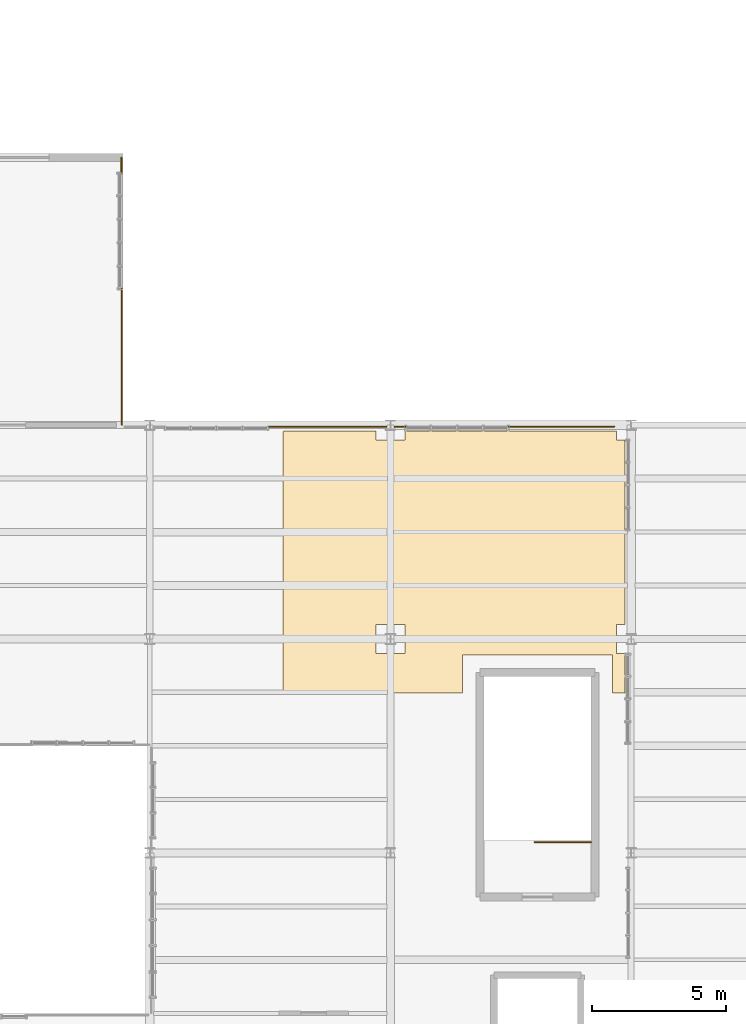
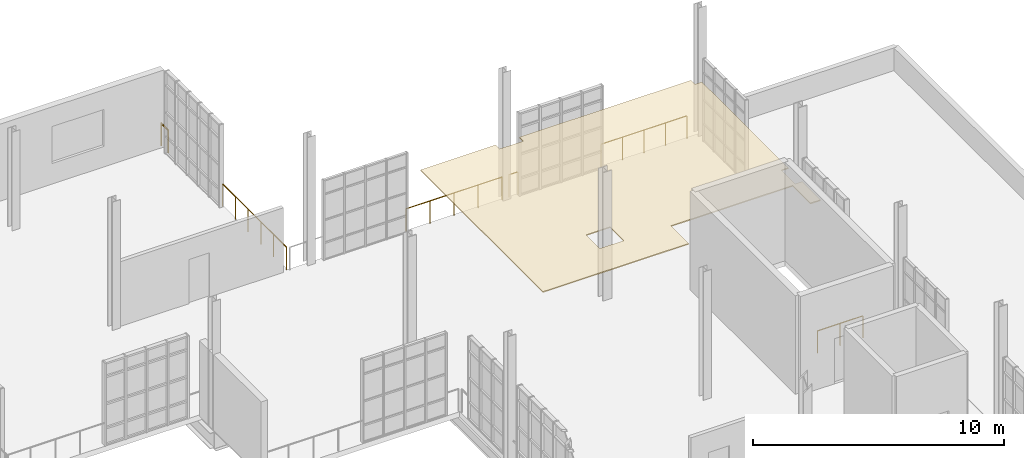
# One storey, part 116 of 118: 6 railings, 1 covering.
"""IFC4 building model written with IfcOpenShell, lengths in metres."""

from ifc_helpers import new_model, si_unit, direction, frame, origin, origin_2d, place, context, subcontext, project, spatial, polyline, circle, outline, extrude, material, layer, layer_set, type_object, element, save


model = new_model("IFC4")

# Units and contexts
model_context = context("Model", 3, precision=1e-05, world=origin(), true_north=direction((0.0, 1.0)))
body_context = subcontext(model_context, "Body", "Model", "MODEL_VIEW")
ifc_project = project(units=[si_unit("LENGTHUNIT", "METRE"), si_unit("AREAUNIT", "SQUARE_METRE"), si_unit("VOLUMEUNIT", "CUBIC_METRE"), si_unit("PLANEANGLEUNIT", "RADIAN"), si_unit("MASSUNIT", "GRAM", prefix="KILO"), si_unit("THERMODYNAMICTEMPERATUREUNIT", "KELVIN"), si_unit("POWERUNIT", "WATT")], contexts=[model_context])

# Site, building, storey
site_placement = place(None, origin())
site = spatial("IfcSite", under=ifc_project, at=site_placement, CompositionType="ELEMENT")
building_placement = place(site_placement, origin())
building = spatial("IfcBuilding", under=site, at=building_placement, Name="Zelmaris Science Centre", CompositionType="ELEMENT")
storey_placement = place(building_placement, frame((0.0, 0.0, 15.60009765625)))
storey = spatial("IfcBuildingStorey", under=building, at=storey_placement, Name="L03", CompositionType="ELEMENT", Elevation=15.60009765625)

# Covering
ifc_material_1 = material(Name="Perforated mineral-fibre acoustic ceiling tile")
ifc_layer = layer(ifc_material_1, 0.050048828125, Name="Perforated mineral-fibre acoustic ceiling tile")
ifc_layer_set = layer_set([ifc_layer], Name="Perforated mineral-fibre acoustic ceiling tile")
covering_type = type_object("IfcCoveringType", Name="Acoustic Ceiling CLG-02 50mm", PredefinedType="CEILING", material=ifc_layer_set)
covering_placement = place(storey_placement, frame((0.0, 0.0, 2.849853515625)))
element("IfcCovering", 1, at=covering_placement, inside=storey, type_object=covering_type, Name="L03 Coastal Hydrology Environmental Laboratory acoustic ceiling", PredefinedType="CEILING", context=body_context, shape_type="SweptSolid", body=[
    extrude(outline(polyline([(122.0048828125, 45.985107421875), (122.0029296875, 45.985107421875), (122.001220703125, 45.9853515625), (121.999267578125, 45.98583984375), (121.997314453125, 45.986572265625), (121.99560546875, 45.9873046875), (121.993896484375, 45.98828125), (121.9921875, 45.989501953125), (121.990966796875, 45.990966796875), (121.989501953125, 45.9921875), (121.98828125, 45.993896484375), (121.9873046875, 45.99560546875), (121.986572265625, 45.997314453125), (121.98583984375, 45.999267578125), (121.9853515625, 46.001220703125), (121.985107421875, 46.0029296875), (121.985107421875, 46.0048828125), (121.985107421875, 55.75), (121.985107421875, 55.751953125), (121.9853515625, 55.75390625), (121.98583984375, 55.755859375), (121.986572265625, 55.7578125), (121.9873046875, 55.759521484375), (121.98828125, 55.760986328125), (121.989501953125, 55.7626953125), (121.990966796875, 55.76416015625), (121.9921875, 55.765380859375), (121.993896484375, 55.7666015625), (121.99560546875, 55.767578125), (121.997314453125, 55.7685546875), (121.999267578125, 55.76904296875), (122.001220703125, 55.76953125), (122.0029296875, 55.77001953125), (122.0048828125, 55.77001953125), (125.449951171875, 55.77001953125), (125.449951171875, 55.449951171875), (126.550048828125, 55.449951171875), (126.550048828125, 55.77001953125), (134.449951171875, 55.77001953125), (134.449951171875, 55.449951171875), (134.77001953125, 55.449951171875), (134.77001953125, 48.550048828125), (134.449951171875, 48.550048828125), (134.449951171875, 47.449951171875), (134.77001953125, 47.449951171875), (134.77001953125, 46.0), (134.77001953125, 45.998046875), (134.76953125, 45.99609375), (134.76904296875, 45.994140625), (134.7685546875, 45.9921875), (134.767578125, 45.990478515625), (134.7666015625, 45.989013671875), (134.765380859375, 45.9873046875), (134.76416015625, 45.98583984375), (134.7626953125, 45.984619140625), (134.760986328125, 45.9833984375), (134.759521484375, 45.982421875), (134.7578125, 45.9814453125), (134.755859375, 45.98095703125), (134.75390625, 45.98046875), (134.751953125, 45.97998046875), (134.75, 45.97998046875), (134.300048828125, 45.97998046875), (134.300048828125, 47.39990234375), (128.699951171875, 47.39990234375), (128.699951171875, 45.980224609375), (122.0048828125, 45.985107421875)]), holes=[polyline([(126.550048828125, 48.550048828125), (125.449951171875, 48.550048828125), (125.449951171875, 47.449951171875), (126.550048828125, 47.449951171875), (126.550048828125, 48.550048828125)])]), origin(), (0.0, 0.0, 1.0), 0.050048828125),
])

# Railings
ifc_material_2 = material(Name="Architectural bronze alloy C28000")
railing_type = type_object("IfcRailingType", Name="Balustrade GD-01 H1120", PredefinedType="BALUSTRADE", material=ifc_material_2)
railing_1_placement = place(storey_placement, frame((115.93994140625, 65.999755859375, 0.0)))
element("IfcRailing", 2, at=railing_1_placement, inside=storey, type_object=railing_type, Name="L03 Perimeter safety balustrade 236", PredefinedType="BALUSTRADE", context=body_context, shape_type="SweptSolid", body=[
    extrude(circle(Radius=0.02392578125, at=origin_2d()), frame((0.0, 0.0, 1.09619140625), z_axis=(0.001284795513, -0.99999917465, 0.0), x_axis=(0.99999917465, 0.001284795513, 0.0)), (0.0, 0.0, 1.0), 0.570068359375),
    extrude(circle(Radius=0.02099609375, at=origin_2d()), origin(), (0.0, 0.0, 1.0), 1.072021484375),
    extrude(circle(Radius=0.02099609375, at=origin_2d()), frame((0.000732421875, -0.570068359375, 0.0)), (0.0, 0.0, 1.0), 1.072021484375),
])
railing_2_placement = place(storey_placement, frame((115.94677734375, 61.100830078125, 0.0)))
element("IfcRailing", 3, at=railing_2_placement, inside=storey, type_object=railing_type, Name="L03 Perimeter safety balustrade 237", PredefinedType="BALUSTRADE", context=body_context, shape_type="SweptSolid", body=[
    extrude(circle(Radius=0.02392578125, at=origin_2d()), frame((0.0, 0.0, 1.09619140625), z_axis=(0.001345958498, -0.999999094197, 0.0), x_axis=(0.999999094197, 0.001345958498, 0.0)), (0.0, 0.0, 1.0), 5.078857421875),
    extrude(circle(Radius=0.02099609375, at=origin_2d()), origin(), (0.0, 0.0, 1.0), 1.072021484375),
    extrude(circle(Radius=0.02099609375, at=origin_2d()), frame((0.00146484375, -1.015869140625, 0.0)), (0.0, 0.0, 1.0), 1.072021484375),
    extrude(circle(Radius=0.02099609375, at=origin_2d()), frame((0.002685546875, -2.031494140625, 0.0)), (0.0, 0.0, 1.0), 1.072021484375),
    extrude(circle(Radius=0.02099609375, at=origin_2d()), frame((0.004150390625, -3.04736328125, 0.0)), (0.0, 0.0, 1.0), 1.072021484375),
    extrude(circle(Radius=0.02099609375, at=origin_2d()), frame((0.00537109375, -4.06298828125, 0.0)), (0.0, 0.0, 1.0), 1.072021484375),
    extrude(circle(Radius=0.02099609375, at=origin_2d()), frame((0.0068359375, -5.078857421875, 0.0)), (0.0, 0.0, 1.0), 1.072021484375),
])
railing_3_placement = place(storey_placement, frame((121.409912109375, 55.93994140625, 0.0)))
element("IfcRailing", 4, at=railing_3_placement, inside=storey, type_object=railing_type, Name="L03 Perimeter safety balustrade 240", PredefinedType="BALUSTRADE", context=body_context, shape_type="SweptSolid", body=[
    extrude(circle(Radius=0.02392578125, at=origin_2d()), frame((0.0, 0.0, 1.09619140625), z_axis=(1.0, 0.0, 0.0), x_axis=(0.0, 1.0, 0.0)), (0.0, 0.0, 1.0), 4.43603515625),
    extrude(circle(Radius=0.02099609375, at=origin_2d()), origin(), (0.0, 0.0, 1.0), 1.072021484375),
    extrude(circle(Radius=0.02099609375, at=origin_2d()), frame((1.10888671875, 0.0, 0.0)), (0.0, 0.0, 1.0), 1.072021484375),
    extrude(circle(Radius=0.02099609375, at=origin_2d()), frame((2.218017578125, 0.0, 0.0)), (0.0, 0.0, 1.0), 1.072021484375),
    extrude(circle(Radius=0.02099609375, at=origin_2d()), frame((3.3271484375, 0.0, 0.0)), (0.0, 0.0, 1.0), 1.072021484375),
    extrude(circle(Radius=0.02099609375, at=origin_2d()), frame((4.43603515625, 0.0, 0.0)), (0.0, 0.0, 1.0), 1.072021484375),
])
railing_4_placement = place(storey_placement, frame((126.154052734375, 55.93994140625, 0.0)))
element("IfcRailing", 5, at=railing_4_placement, inside=storey, type_object=railing_type, Name="L03 Perimeter safety balustrade 241", PredefinedType="BALUSTRADE", context=body_context, shape_type="SweptSolid", body=[
    extrude(circle(Radius=0.02392578125, at=origin_2d()), frame((0.0, 0.0, 1.09619140625), z_axis=(1.0, 0.0, 0.0), x_axis=(0.0, 1.0, 0.0)), (0.0, 0.0, 1.0), 0.416015625),
    extrude(circle(Radius=0.02099609375, at=origin_2d()), origin(), (0.0, 0.0, 1.0), 1.072021484375),
    extrude(circle(Radius=0.02099609375, at=origin_2d()), frame((0.416015625, 0.0, 0.0)), (0.0, 0.0, 1.0), 1.072021484375),
])
railing_5_placement = place(storey_placement, frame((130.409912109375, 55.93994140625, 0.0)))
element("IfcRailing", 6, at=railing_5_placement, inside=storey, type_object=railing_type, Name="L03 Perimeter safety balustrade 242", PredefinedType="BALUSTRADE", context=body_context, shape_type="SweptSolid", body=[
    extrude(circle(Radius=0.02392578125, at=origin_2d()), frame((0.0, 0.0, 1.09619140625), z_axis=(1.0, 0.0, 0.0), x_axis=(0.0, 1.0, 0.0)), (0.0, 0.0, 1.0), 3.9501953125),
    extrude(circle(Radius=0.02099609375, at=origin_2d()), origin(), (0.0, 0.0, 1.0), 1.072021484375),
    extrude(circle(Radius=0.02099609375, at=origin_2d()), frame((0.987548828125, 0.0, 0.0)), (0.0, 0.0, 1.0), 1.072021484375),
    extrude(circle(Radius=0.02099609375, at=origin_2d()), frame((1.97509765625, 0.0, 0.0)), (0.0, 0.0, 1.0), 1.072021484375),
    extrude(circle(Radius=0.02099609375, at=origin_2d()), frame((2.962646484375, 0.0, 0.0)), (0.0, 0.0, 1.0), 1.072021484375),
    extrude(circle(Radius=0.02099609375, at=origin_2d()), frame((3.9501953125, 0.0, 0.0)), (0.0, 0.0, 1.0), 1.072021484375),
])
railing_6_placement = place(storey_placement, frame((133.5, 40.39990234375, 0.0)))
element("IfcRailing", 7, at=railing_6_placement, inside=storey, type_object=railing_type, Name="L03 ST-5 top well guard 1", PredefinedType="BALUSTRADE", context=body_context, shape_type="SweptSolid", body=[
    extrude(circle(Radius=0.02392578125, at=origin_2d()), frame((0.0, 0.0, 1.076171875), z_axis=(-1.0, 0.0, 0.0), x_axis=(0.0, -1.0, 0.0)), (0.0, 0.0, 1.0), 2.10009765625),
    extrude(circle(Radius=0.02099609375, at=origin_2d()), origin(), (0.0, 0.0, 1.0), 1.052001953125),
    extrude(circle(Radius=0.02099609375, at=origin_2d()), frame((-1.050048828125, 0.0, 0.0)), (0.0, 0.0, 1.0), 1.052001953125),
    extrude(circle(Radius=0.02099609375, at=origin_2d()), frame((-2.10009765625, 0.0, 0.0)), (0.0, 0.0, 1.0), 1.052001953125),
])

save(model, "model.ifc")
